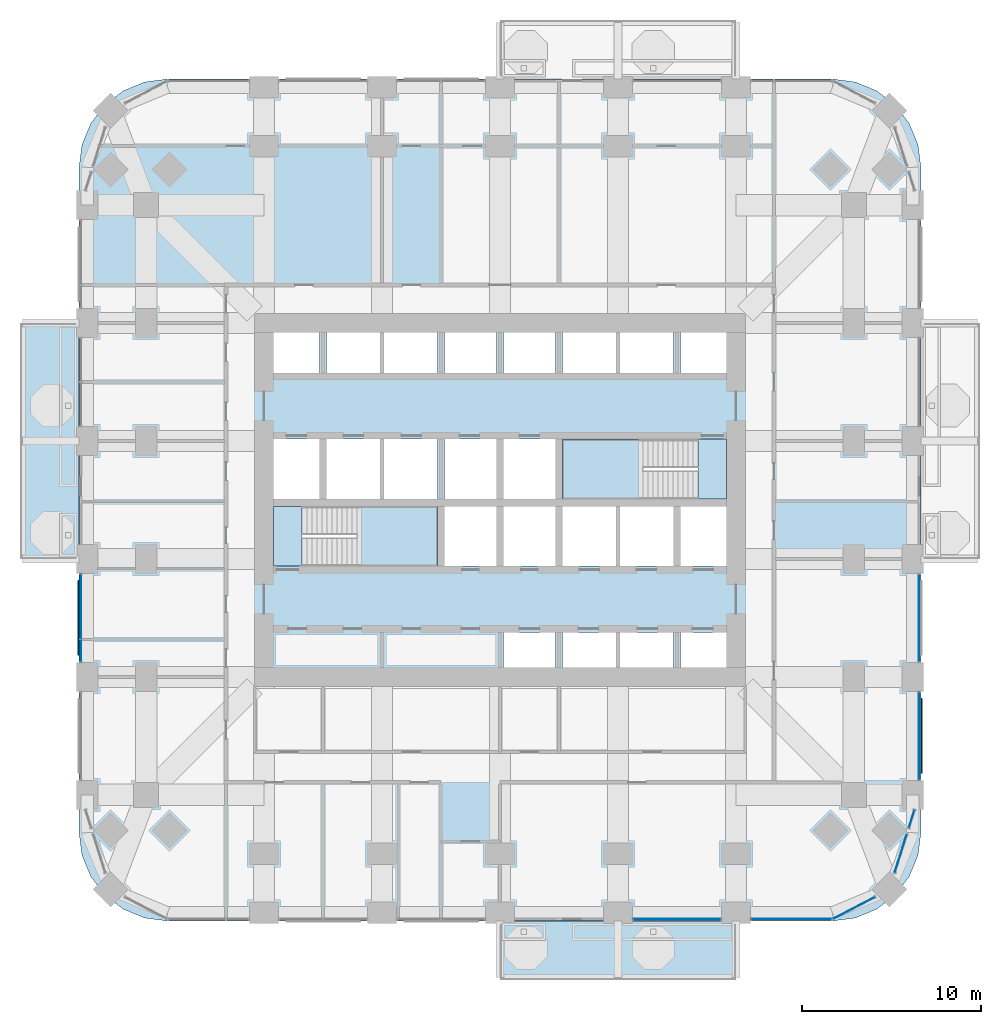
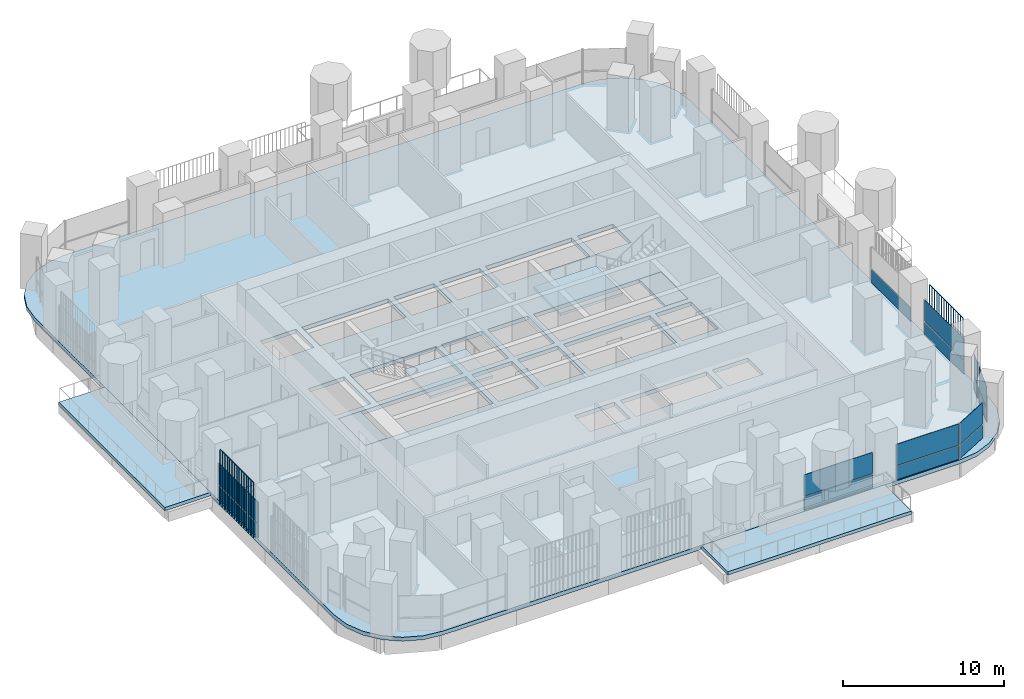
# One storey, part 10 of 21: 19 plates, 7 slabs, 10 elements without a shape of their own.
"""IFC4 building model written with IfcOpenShell, lengths in metres."""

import ifcopenshell
import ifcopenshell.guid

model = None  # the IFC model being written
_history = None  # IfcOwnerHistory: only IFC2X3 demands one
_inside = {}  # id of a spatial element -> (the spatial element, [elements in it])
_under = {}  # id of a project, library or spatial element -> (it, [spatial elements below it])
_declared = {}  # id of a project -> (the project, [libraries it declares])
_typed = {}  # id of a type object -> (the type object, [elements of that type])
_made_of = {}  # id of a material, layer set ... -> (it, [elements and type objects made of it])


def new_model(schema):
    """Start an empty IFC model of exactly this schema.

    Asked for "IFC4X3", IfcOpenShell would pick the latest addendum, in which some entities
    have other attributes; the version numbers below select the first issue.
    IFC2X3 requires an IfcOwnerHistory on every rooted entity: one is made here for all.
    """
    global model, _history
    if schema == "IFC4X3":
        model = ifcopenshell.file(schema_version=(4, 3, 0, 0))
    else:
        model = ifcopenshell.file(schema=schema)
    _inside.clear()
    _under.clear()
    _declared.clear()
    _typed.clear()
    _made_of.clear()
    _history = None
    if model.schema == "IFC2X3":
        org = make("IfcOrganization", Name="unknown")
        user = make(
            "IfcPersonAndOrganization",
            ThePerson=make("IfcPerson", FamilyName="unknown"),
            TheOrganization=org,
        )
        app = make(
            "IfcApplication",
            ApplicationDeveloper=org,
            Version="unknown",
            ApplicationFullName="unknown",
            ApplicationIdentifier="unknown",
        )
        _history = make(
            "IfcOwnerHistory",
            OwningUser=user,
            OwningApplication=app,
            ChangeAction="ADDED",
            CreationDate=0,
        )
    return model


def make(cls, **values):
    """One entity of the class cls with the attributes given. An attribute that is None is left unset."""
    return model.create_entity(
        cls, **{name: value for name, value in values.items() if value is not None}
    )


def rooted(cls, **values):
    """An entity with a GlobalId (a new one), such as an element, a storey or a relation."""
    return make(cls, GlobalId=ifcopenshell.guid.new(), OwnerHistory=_history, **values)


def si_unit(unit_type, name, prefix=None):
    """IfcSIUnit, for example si_unit("LENGTHUNIT", "METRE", prefix="MILLI")."""
    return make("IfcSIUnit", UnitType=unit_type, Prefix=prefix, Name=name)


def assignment(units):
    """IfcUnitAssignment: the units of a project."""
    return None if units is None else make("IfcUnitAssignment", Units=units)


def point(xyz):
    """IfcCartesianPoint."""
    return None if xyz is None else make("IfcCartesianPoint", Coordinates=xyz)


def direction(xyz):
    """IfcDirection."""
    return None if xyz is None else make("IfcDirection", DirectionRatios=xyz)


def frame(location, z_axis=None, x_axis=None):
    """IfcAxis2Placement3D, a coordinate frame: its origin and axes. An axis left out is left unset."""
    return make(
        "IfcAxis2Placement3D",
        Location=point(location),
        Axis=direction(z_axis),
        RefDirection=direction(x_axis),
    )


def frame_2d(location, x_axis=None):
    """IfcAxis2Placement2D, a coordinate frame in the plane: its origin and x axis."""
    return make(
        "IfcAxis2Placement2D", Location=point(location), RefDirection=direction(x_axis)
    )


def origin():
    """The frame at (0, 0, 0) with its axes left unset."""
    return frame((0.0, 0.0, 0.0))


def origin_2d():
    """The frame at (0, 0) in the plane with its x axis left unset."""
    return frame_2d((0.0, 0.0))


def place(relative_to, where):
    """IfcLocalPlacement: puts the frame where relative to a parent placement (None: the world)."""
    return make(
        "IfcLocalPlacement", PlacementRelTo=relative_to, RelativePlacement=where
    )


def context(
    kind, dimensions, precision=None, world=None, true_north=None, identifier=None
):
    """IfcGeometricRepresentationContext, for example the 3D "Model" context."""
    return make(
        "IfcGeometricRepresentationContext",
        ContextIdentifier=identifier,
        ContextType=kind,
        CoordinateSpaceDimension=dimensions,
        Precision=precision,
        WorldCoordinateSystem=world,
        TrueNorth=true_north,
    )


def subcontext(parent, identifier, kind, view, scale=None):
    """IfcGeometricRepresentationSubContext, for example "Body" below "Model"."""
    return make(
        "IfcGeometricRepresentationSubContext",
        ContextIdentifier=identifier,
        ContextType=kind,
        ParentContext=parent,
        TargetScale=scale,
        TargetView=view,
    )


def project(units=None, contexts=None):
    """IfcProject with its units and contexts."""
    return rooted(
        "IfcProject",
        Name="project",
        RepresentationContexts=contexts,
        UnitsInContext=assignment(units),
    )


def spatial(cls, under=None, at=None, **own):
    """A site, building, storey or space (cls), placed at a placement, below another one or the project."""
    s = rooted(cls, ObjectPlacement=at, **own)
    if under is not None:
        _under.setdefault(under.id(), (under, []))[1].append(s)
    return s


def polyline(points):
    """IfcPolyline through the points."""
    return make("IfcPolyline", Points=[point(p) for p in points])


def profile(cls, at=None, kind="AREA", **sizes):
    """A parametric profile (cls). Its sizes go by their IFC names, for example OverallWidth=200.0."""
    return make(cls, ProfileType=kind, Position=at, **sizes)


def rectangle(**sizes):
    """IfcRectangleProfileDef."""
    return profile("IfcRectangleProfileDef", **sizes)


def outline(outer, holes=None, kind="AREA"):
    """IfcArbitraryClosedProfileDef: a profile drawn as a closed curve; with holes, ...WithVoids."""
    if holes is None:
        return make("IfcArbitraryClosedProfileDef", ProfileType=kind, OuterCurve=outer)
    return make(
        "IfcArbitraryProfileDefWithVoids",
        ProfileType=kind,
        OuterCurve=outer,
        InnerCurves=holes,
    )


def extrude(swept, where, along, depth):
    """IfcExtrudedAreaSolid: the profile swept, set in the frame where, extruded along a direction by depth."""
    return make(
        "IfcExtrudedAreaSolid",
        SweptArea=swept,
        Position=where,
        ExtrudedDirection=direction(along),
        Depth=depth,
    )


def shape(context_of_items, identifier, shape_type, items):
    """IfcShapeRepresentation: the items that make up one representation, for example the "Body"."""
    return make(
        "IfcShapeRepresentation",
        ContextOfItems=context_of_items,
        RepresentationIdentifier=identifier,
        RepresentationType=shape_type,
        Items=items,
    )


def material(Name=None, Category=None):
    """IfcMaterial."""
    return make("IfcMaterial", Name=Name, Category=Category)


def layer(
    of_material, thickness, ventilated=None, Name=None, Category=None, Priority=None
):
    """IfcMaterialLayer: one layer of a wall or slab, of a material (None: an air gap)."""
    return make(
        "IfcMaterialLayer",
        Material=of_material,
        LayerThickness=thickness,
        IsVentilated=ventilated,
        Name=Name,
        Category=Category,
        Priority=Priority,
    )


def layer_set(layers, Name=None):
    """IfcMaterialLayerSet."""
    return make("IfcMaterialLayerSet", MaterialLayers=layers, LayerSetName=Name)


def made_of(thing, what):
    """Note that an element or type object is made of a material, layer set ...; save() writes the relation."""
    if what is not None:
        _made_of.setdefault(what.id(), (what, []))[1].append(thing)
    return thing


def type_object(cls, material=None, **own):
    """A type object (cls), such as IfcWallType, which elements share."""
    return made_of(rooted(cls, **own), material)


def element(
    cls,
    number,
    at=None,
    inside=None,
    cuts=None,
    type_object=None,
    material=None,
    context=None,
    identifier="Body",
    shape_type=None,
    held_by="IfcProductDefinitionShape",
    body=None,
    shapes=None,
    **own,
):
    """One element of the class cls, such as IfcWall. Its Tag is "e" and its number.

    at: its placement. inside: the storey or other place that contains it. cuts: it is an
    opening in that element (IfcRelVoidsElement). A single representation is given by context,
    identifier, shape_type and body (its items); several are given by shapes. held_by: the class
    of the entity that holds the representations. save() writes the other relations.
    """
    e = rooted(cls, Tag="e%d" % number, ObjectPlacement=at, **own)
    if body is not None:
        shapes = [shape(context, identifier, shape_type, body)]
    if shapes is not None:
        e.Representation = make(held_by, Representations=shapes)
    if inside is not None:
        _inside.setdefault(inside.id(), (inside, []))[1].append(e)
    if cuts is not None:
        rooted(
            "IfcRelVoidsElement", RelatingBuildingElement=cuts, RelatedOpeningElement=e
        )
    if type_object is not None:
        _typed.setdefault(type_object.id(), (type_object, []))[1].append(e)
    return made_of(e, material)


def aggregate(whole, parts):
    """IfcRelAggregates: a whole, such as a stair, and the parts it consists of."""
    return rooted("IfcRelAggregates", RelatingObject=whole, RelatedObjects=parts)


def save(model, path):
    """Write the relations noted so far, then the file.

    IfcRelAggregates (storeys below a building ...), IfcRelContainedInSpatialStructure (elements
    in a storey), IfcRelDefinesByType, IfcRelAssociatesMaterial and IfcRelDeclares: one each for
    every whole, place, type object, material and project.
    """
    for whole, parts in _under.values():
        aggregate(whole, parts)
    for where, things in _inside.values():
        rooted(
            "IfcRelContainedInSpatialStructure",
            RelatedElements=things,
            RelatingStructure=where,
        )
    for kind, things in _typed.values():
        rooted("IfcRelDefinesByType", RelatedObjects=things, RelatingType=kind)
    for what, things in _made_of.values():
        rooted("IfcRelAssociatesMaterial", RelatedObjects=things, RelatingMaterial=what)
    for by, libraries in _declared.values():
        rooted("IfcRelDeclares", RelatingContext=by, RelatedDefinitions=libraries)
    model.write(path)


model = new_model("IFC4")

# Units and contexts
model_context = context("Model", 3, precision=1e-05, world=origin(), true_north=direction((0.0, 1.0)))
body_context = subcontext(model_context, "Body", "Model", "MODEL_VIEW")
ifc_project = project(units=[si_unit("LENGTHUNIT", "METRE"), si_unit("AREAUNIT", "SQUARE_METRE"), si_unit("VOLUMEUNIT", "CUBIC_METRE"), si_unit("PLANEANGLEUNIT", "RADIAN"), si_unit("MASSUNIT", "GRAM", prefix="KILO")], contexts=[model_context])

# Site, building, storey
site_placement = place(None, origin())
site = spatial("IfcSite", under=ifc_project, at=site_placement, CompositionType="ELEMENT")
building_placement = place(site_placement, origin())
building = spatial("IfcBuilding", under=site, at=building_placement, Name="Cobogo Forest Laboratory Tower", CompositionType="ELEMENT")
storey_placement = place(building_placement, frame((0.0, 0.0, 86.39990234375)))
storey = spatial("IfcBuildingStorey", under=building, at=storey_placement, Name="L19", CompositionType="ELEMENT", Elevation=86.39990234375)

# Slabs
ifc_material_1 = material(Name="Concrete HA-40 (C40/50)", Category="concrete")
ifc_layer_1 = layer(ifc_material_1, 0.25)
ifc_layer_set_1 = layer_set([ifc_layer_1], Name="Balcony slab 250")
slab_type_1 = type_object("IfcSlabType", Name="Balcony slab 250", PredefinedType="FLOOR", material=ifc_layer_set_1)
slab_1_placement = place(storey_placement, frame((0.0, 0.0, -0.25)))
element("IfcSlab", 1, at=slab_1_placement, inside=storey, type_object=slab_type_1, Name="Balcony BAL-S1 L19", PredefinedType="FLOOR", context=body_context, shape_type="SweptSolid", body=[
    extrude(outline(polyline([(26.39990234375, -3.75), (39.60009765625, -3.75), (39.60009765625, -0.449951171875), (26.39990234375, -0.449951171875), (26.39990234375, -3.75)])), origin(), (0.0, 0.0, 1.0), 0.25),
])
slab_2_placement = place(storey_placement, frame((0.0, 0.0, -0.25)))
element("IfcSlab", 2, at=slab_2_placement, inside=storey, type_object=slab_type_1, Name="Balcony BAL-W1 L19", PredefinedType="FLOOR", context=body_context, shape_type="SweptSolid", body=[
    extrude(outline(polyline([(-0.449951171875, 19.800048828125), (2.85009765625, 19.800048828125), (2.85009765625, 33.0), (-0.449951171875, 33.0), (-0.449951171875, 19.800048828125)])), origin(), (0.0, 0.0, 1.0), 0.25),
])
ifc_layer_2 = layer(ifc_material_1, 0.300048828125)
ifc_layer_set_2 = layer_set([ifc_layer_2], Name="Floor slab 300")
slab_type_2 = type_object("IfcSlabType", Name="Floor slab 300", PredefinedType="FLOOR", material=ifc_layer_set_2)
slab_3_placement = place(storey_placement, frame((0.0, 0.0, -0.2998046875)))
element("IfcSlab", 3, at=slab_3_placement, inside=storey, type_object=slab_type_2, Name="L19 floor slab", PredefinedType="FLOOR", context=body_context, shape_type="SweptSolid", body=[
    extrude(outline(polyline([(45.0, -0.449951171875), (46.28125, -0.28125), (47.47509765625, 0.213134765625), (48.500244140625, 0.999755859375), (49.286865234375, 2.02490234375), (49.78125, 3.21875), (49.949951171875, 4.5), (49.949951171875, 41.699951171875), (49.78125, 42.981201171875), (49.286865234375, 44.175048828125), (48.500244140625, 45.2001953125), (47.47509765625, 45.98681640625), (46.28125, 46.4814453125), (45.0, 46.64990234375), (7.800048828125, 46.64990234375), (6.518798828125, 46.4814453125), (5.324951171875, 45.98681640625), (4.2998046875, 45.2001953125), (3.51318359375, 44.175048828125), (3.0185546875, 42.981201171875), (2.85009765625, 41.699951171875), (2.85009765625, 4.5), (3.0185546875, 3.21875), (3.51318359375, 2.02490234375), (4.2998046875, 0.999755859375), (5.324951171875, 0.213134765625), (6.518798828125, -0.28125), (7.800048828125, -0.449951171875), (45.0, -0.449951171875)]), holes=[polyline([(29.5, 13.72509765625), (26.60009765625, 13.72509765625), (26.60009765625, 15.699951171875), (29.5, 15.699951171875), (29.5, 13.72509765625)]), polyline([(36.10009765625, 15.699951171875), (36.10009765625, 13.72509765625), (29.89990234375, 13.72509765625), (29.89990234375, 15.699951171875), (36.10009765625, 15.699951171875)]), polyline([(36.5, 13.72509765625), (36.5, 15.699951171875), (39.074951171875, 15.699951171875), (39.074951171875, 13.72509765625), (36.5, 13.72509765625)]), polyline([(13.72509765625, 19.39990234375), (13.72509765625, 22.75), (22.89990234375, 22.75), (22.89990234375, 19.39990234375), (13.72509765625, 19.39990234375)]), polyline([(23.300048828125, 19.39990234375), (23.300048828125, 22.75), (26.199951171875, 22.75), (26.199951171875, 19.39990234375), (23.300048828125, 19.39990234375)]), polyline([(29.5, 19.39990234375), (26.60009765625, 19.39990234375), (26.60009765625, 22.75), (29.5, 22.75), (29.5, 19.39990234375)]), polyline([(36.10009765625, 22.75), (36.10009765625, 19.39990234375), (29.89990234375, 19.39990234375), (29.89990234375, 22.75), (36.10009765625, 22.75)]), polyline([(39.074951171875, 19.39990234375), (36.5, 19.39990234375), (36.5, 22.75), (39.074951171875, 22.75), (39.074951171875, 19.39990234375)]), polyline([(16.300048828125, 23.14990234375), (13.72509765625, 23.14990234375), (13.72509765625, 26.5), (16.300048828125, 26.5), (16.300048828125, 23.14990234375)]), polyline([(22.89990234375, 26.5), (22.89990234375, 23.14990234375), (16.699951171875, 23.14990234375), (16.699951171875, 26.5), (22.89990234375, 26.5)]), polyline([(26.199951171875, 23.14990234375), (23.300048828125, 23.14990234375), (23.300048828125, 26.5), (26.199951171875, 26.5), (26.199951171875, 23.14990234375)]), polyline([(26.60009765625, 23.14990234375), (26.60009765625, 26.5), (29.5, 26.5), (29.5, 23.14990234375), (26.60009765625, 23.14990234375)]), polyline([(29.89990234375, 23.14990234375), (29.89990234375, 26.5), (39.074951171875, 26.5), (39.074951171875, 23.14990234375), (29.89990234375, 23.14990234375)]), polyline([(13.72509765625, 30.199951171875), (13.72509765625, 32.47509765625), (16.300048828125, 32.47509765625), (16.300048828125, 30.199951171875), (13.72509765625, 30.199951171875)]), polyline([(22.89990234375, 32.47509765625), (22.89990234375, 30.199951171875), (16.699951171875, 30.199951171875), (16.699951171875, 32.47509765625), (22.89990234375, 32.47509765625)]), polyline([(23.300048828125, 30.199951171875), (23.300048828125, 32.47509765625), (26.199951171875, 32.47509765625), (26.199951171875, 30.199951171875), (23.300048828125, 30.199951171875)]), polyline([(26.60009765625, 30.199951171875), (26.60009765625, 32.47509765625), (29.5, 32.47509765625), (29.5, 30.199951171875), (26.60009765625, 30.199951171875)]), polyline([(36.10009765625, 32.47509765625), (36.10009765625, 30.199951171875), (29.89990234375, 30.199951171875), (29.89990234375, 32.47509765625), (36.10009765625, 32.47509765625)]), polyline([(36.5, 30.199951171875), (36.5, 32.47509765625), (39.074951171875, 32.47509765625), (39.074951171875, 30.199951171875), (36.5, 30.199951171875)])]), origin(), (0.0, 0.0, 1.0), 0.2998046875),
])

# Curtain wall, plates
ifc_material_2 = material(Name="Aluminium curtain wall", Category="aluminium")
curtain_wall_type = type_object("IfcCurtainWallType", Name="CW-1 unitised curtain wall, clear glazing, laboratory floors zones A and B", PredefinedType="USERDEFINED", material=ifc_material_2)
curtain_wall_1_placement = place(storey_placement, origin())
curtain_wall_1 = element("IfcCurtainWall", 4, at=curtain_wall_1_placement, inside=storey, type_object=curtain_wall_type, Name="Curtain wall 05 L19", ObjectType="UNITISED CURTAIN WALL", PredefinedType="USERDEFINED")
ifc_material_3 = material(Name="Clear insulated glass", Category="glass")
ifc_layer_3 = layer(ifc_material_3, 0.028076171875)
ifc_layer_set_3 = layer_set([ifc_layer_3], Name="GP-1 clear insulated glass unit 28")
plate_type_1 = type_object("IfcPlateType", Name="GP-1 clear insulated glass unit 28", PredefinedType="CURTAIN_PANEL", material=ifc_layer_set_3)
plate_1_placement = place(storey_placement, frame((36.300048828125, -0.35009765625, 0.0), z_axis=(0.0, 0.0, 1.0), x_axis=(1.0, 0.0, 0.0)))
plate_1 = element("IfcPlate", 5, at=plate_1_placement, type_object=plate_type_1, Name="CW-1 panel 1.1", PredefinedType="CURTAIN_PANEL", context=body_context, shape_type="SweptSolid", body=[
    extrude(rectangle(XDim=4.8798828125, YDim=0.028076171875, at=origin_2d()), origin(), (0.0, 0.0, 1.0), 1.02001953125),
])
plate_2_placement = place(storey_placement, frame((36.300048828125, -0.35009765625, 1.080078125), z_axis=(0.0, 0.0, 1.0), x_axis=(1.0, 0.0, 0.0)))
plate_2 = element("IfcPlate", 6, at=plate_2_placement, type_object=plate_type_1, Name="CW-1 panel 1.2", PredefinedType="CURTAIN_PANEL", context=body_context, shape_type="SweptSolid", body=[
    extrude(rectangle(XDim=4.8798828125, YDim=0.028076171875, at=origin_2d()), origin(), (0.0, 0.0, 1.0), 1.6201171875),
])
aggregate(curtain_wall_1, [plate_1, plate_2])

curtain_wall_2_placement = place(storey_placement, origin())
curtain_wall_2 = element("IfcCurtainWall", 7, at=curtain_wall_2_placement, inside=storey, type_object=curtain_wall_type, Name="Curtain wall 06 L19", ObjectType="UNITISED CURTAIN WALL", PredefinedType="USERDEFINED")
plate_3_placement = place(storey_placement, frame((42.699951171875, -0.35009765625, 0.0), z_axis=(0.0, 0.0, 1.0), x_axis=(1.0, 0.0, 0.0)))
plate_3 = element("IfcPlate", 8, at=plate_3_placement, type_object=plate_type_1, Name="CW-1 panel 1.1", PredefinedType="CURTAIN_PANEL", context=body_context, shape_type="SweptSolid", body=[
    extrude(rectangle(XDim=4.47998046875, YDim=0.028076171875, at=origin_2d()), origin(), (0.0, 0.0, 1.0), 1.02001953125),
])
plate_4_placement = place(storey_placement, frame((42.699951171875, -0.35009765625, 1.080078125), z_axis=(0.0, 0.0, 1.0), x_axis=(1.0, 0.0, 0.0)))
plate_4 = element("IfcPlate", 9, at=plate_4_placement, type_object=plate_type_1, Name="CW-1 panel 1.2", PredefinedType="CURTAIN_PANEL", context=body_context, shape_type="SweptSolid", body=[
    extrude(rectangle(XDim=4.47998046875, YDim=0.028076171875, at=origin_2d()), origin(), (0.0, 0.0, 1.0), 1.6201171875),
])
aggregate(curtain_wall_2, [plate_3, plate_4])

curtain_wall_3_placement = place(storey_placement, origin())
curtain_wall_3 = element("IfcCurtainWall", 10, at=curtain_wall_3_placement, inside=storey, type_object=curtain_wall_type, Name="Curtain wall 07 L19", ObjectType="UNITISED CURTAIN WALL", PredefinedType="USERDEFINED")
plate_5_placement = place(storey_placement, frame((46.2060546875, 0.2822265625, 0.0), z_axis=(0.0, 0.0, 1.0), x_axis=(0.885686540666, 0.464283697413, 0.0)))
plate_5 = element("IfcPlate", 11, at=plate_5_placement, type_object=plate_type_1, Name="CW-1 panel 1.1", PredefinedType="CURTAIN_PANEL", context=body_context, shape_type="SweptSolid", body=[
    extrude(rectangle(XDim=2.603271484375, YDim=0.028076171875, at=origin_2d()), origin(), (0.0, 0.0, 1.0), 1.02001953125),
])
plate_6_placement = place(storey_placement, frame((46.2060546875, 0.2822265625, 1.080078125), z_axis=(0.0, 0.0, 1.0), x_axis=(0.885686540666, 0.464283697413, 0.0)))
plate_6 = element("IfcPlate", 12, at=plate_6_placement, type_object=plate_type_1, Name="CW-1 panel 1.2", PredefinedType="CURTAIN_PANEL", context=body_context, shape_type="SweptSolid", body=[
    extrude(rectangle(XDim=2.603271484375, YDim=0.028076171875, at=origin_2d()), origin(), (0.0, 0.0, 1.0), 1.6201171875),
])
aggregate(curtain_wall_3, [plate_5, plate_6])

curtain_wall_4_placement = place(storey_placement, origin())
curtain_wall_4 = element("IfcCurtainWall", 13, at=curtain_wall_4_placement, inside=storey, type_object=curtain_wall_type, Name="Curtain wall 08 L19", ObjectType="UNITISED CURTAIN WALL", PredefinedType="USERDEFINED")
plate_7_placement = place(storey_placement, frame((48.8134765625, 3.31787109375, 0.0), z_axis=(0.0, 0.0, 1.0), x_axis=(0.301135343623, 0.953581409645, 0.0)))
plate_7 = element("IfcPlate", 14, at=plate_7_placement, type_object=plate_type_1, Name="CW-1 panel 1.1", PredefinedType="CURTAIN_PANEL", context=body_context, shape_type="SweptSolid", body=[
    extrude(rectangle(XDim=2.203369140625, YDim=0.028076171875, at=origin_2d()), origin(), (0.0, 0.0, 1.0), 1.02001953125),
])
plate_8_placement = place(storey_placement, frame((48.8134765625, 3.31787109375, 1.080078125), z_axis=(0.0, 0.0, 1.0), x_axis=(0.301135343623, 0.953581409645, 0.0)))
plate_8 = element("IfcPlate", 15, at=plate_8_placement, type_object=plate_type_1, Name="CW-1 panel 1.2", PredefinedType="CURTAIN_PANEL", context=body_context, shape_type="SweptSolid", body=[
    extrude(rectangle(XDim=2.203369140625, YDim=0.028076171875, at=origin_2d()), origin(), (0.0, 0.0, 1.0), 1.6201171875),
])
aggregate(curtain_wall_4, [plate_7, plate_8])

curtain_wall_5_placement = place(storey_placement, origin())
curtain_wall_5 = element("IfcCurtainWall", 16, at=curtain_wall_5_placement, inside=storey, type_object=curtain_wall_type, Name="Curtain wall 09 L19", ObjectType="UNITISED CURTAIN WALL", PredefinedType="USERDEFINED")
plate_9_placement = place(storey_placement, frame((49.426513671875, 5.259033203125, 0.0), z_axis=(0.0, 0.0, 1.0), x_axis=(0.3011355018, 0.953581359694, 0.0)))
plate_9 = element("IfcPlate", 17, at=plate_9_placement, type_object=plate_type_1, Name="CW-1 panel 1.1", PredefinedType="CURTAIN_PANEL", context=body_context, shape_type="SweptSolid", body=[
    extrude(rectangle(XDim=1.0146484375, YDim=0.028076171875, at=origin_2d()), origin(), (0.0, 0.0, 1.0), 1.02001953125),
])
plate_10_placement = place(storey_placement, frame((49.426513671875, 5.259033203125, 1.080078125), z_axis=(0.0, 0.0, 1.0), x_axis=(0.3011355018, 0.953581359694, 0.0)))
plate_10 = element("IfcPlate", 18, at=plate_10_placement, type_object=plate_type_1, Name="CW-1 panel 1.2", PredefinedType="CURTAIN_PANEL", context=body_context, shape_type="SweptSolid", body=[
    extrude(rectangle(XDim=1.0146484375, YDim=0.028076171875, at=origin_2d()), origin(), (0.0, 0.0, 1.0), 1.6201171875),
])
aggregate(curtain_wall_5, [plate_9, plate_10])

curtain_wall_6_placement = place(storey_placement, origin())
curtain_wall_6 = element("IfcCurtainWall", 19, at=curtain_wall_6_placement, inside=storey, type_object=curtain_wall_type, Name="Curtain wall 10 L19", ObjectType="UNITISED CURTAIN WALL", PredefinedType="USERDEFINED")
plate_11_placement = place(storey_placement, frame((49.85009765625, 9.89990234375, 0.0), z_axis=(0.0, 0.0, 1.0), x_axis=(0.0, 1.0, 0.0)))
plate_11 = element("IfcPlate", 20, at=plate_11_placement, type_object=plate_type_1, Name="CW-1 panel 1.1", PredefinedType="CURTAIN_PANEL", context=body_context, shape_type="SweptSolid", body=[
    extrude(rectangle(XDim=4.8798828125, YDim=0.028076171875, at=origin_2d()), origin(), (0.0, 0.0, 1.0), 1.02001953125),
])
plate_12_placement = place(storey_placement, frame((49.85009765625, 9.89990234375, 1.080078125), z_axis=(0.0, 0.0, 1.0), x_axis=(0.0, 1.0, 0.0)))
plate_12 = element("IfcPlate", 21, at=plate_12_placement, type_object=plate_type_1, Name="CW-1 panel 1.2", PredefinedType="CURTAIN_PANEL", context=body_context, shape_type="SweptSolid", body=[
    extrude(rectangle(XDim=4.8798828125, YDim=0.028076171875, at=origin_2d()), origin(), (0.0, 0.0, 1.0), 1.6201171875),
])
aggregate(curtain_wall_6, [plate_11, plate_12])

# Curtain wall, plate
curtain_wall_7_placement = place(storey_placement, origin())
curtain_wall_7 = element("IfcCurtainWall", 22, at=curtain_wall_7_placement, inside=storey, type_object=curtain_wall_type, Name="Curtain wall 11 L19", ObjectType="UNITISED CURTAIN WALL", PredefinedType="USERDEFINED")
plate_13_placement = place(storey_placement, frame((49.85009765625, 16.5, 0.0), z_axis=(0.0, 0.0, 1.0), x_axis=(0.0, 1.0, 0.0)))
plate_13 = element("IfcPlate", 23, at=plate_13_placement, type_object=plate_type_1, Name="CW-1 panel 1.1", PredefinedType="CURTAIN_PANEL", context=body_context, shape_type="SweptSolid", body=[
    extrude(rectangle(XDim=4.8798828125, YDim=0.028076171875, at=origin_2d()), origin(), (0.0, 0.0, 1.0), 1.02001953125),
])
aggregate(curtain_wall_7, [plate_13])

# Curtain wall, plates
curtain_wall_8_placement = place(storey_placement, origin())
curtain_wall_8 = element("IfcCurtainWall", 24, at=curtain_wall_8_placement, inside=storey, type_object=curtain_wall_type, Name="Curtain wall 30 L19", ObjectType="UNITISED CURTAIN WALL", PredefinedType="USERDEFINED")
plate_14_placement = place(storey_placement, frame((2.949951171875, 17.135009765625, 0.0), z_axis=(0.0, 0.0, 1.0), x_axis=(0.0, -1.0, 0.0)))
plate_14 = element("IfcPlate", 25, at=plate_14_placement, type_object=plate_type_1, Name="CW-1 panel 1.1", PredefinedType="CURTAIN_PANEL", context=body_context, shape_type="SweptSolid", body=[
    extrude(rectangle(XDim=3.610107421875, YDim=0.028076171875, at=origin_2d()), origin(), (0.0, 0.0, 1.0), 1.02001953125),
])
plate_15_placement = place(storey_placement, frame((2.949951171875, 17.135009765625, 1.080078125), z_axis=(0.0, 0.0, 1.0), x_axis=(0.0, -1.0, 0.0)))
plate_15 = element("IfcPlate", 26, at=plate_15_placement, type_object=plate_type_1, Name="CW-1 panel 1.2", PredefinedType="CURTAIN_PANEL", context=body_context, shape_type="SweptSolid", body=[
    extrude(rectangle(XDim=3.610107421875, YDim=0.028076171875, at=origin_2d()), origin(), (0.0, 0.0, 1.0), 1.6201171875),
])
plate_16_placement = place(storey_placement, frame((2.949951171875, 14.6650390625, 0.0), z_axis=(0.0, 0.0, 1.0), x_axis=(0.0, -1.0, 0.0)))
plate_16 = element("IfcPlate", 27, at=plate_16_placement, type_object=plate_type_1, Name="CW-1 panel 2.1", PredefinedType="CURTAIN_PANEL", context=body_context, shape_type="SweptSolid", body=[
    extrude(rectangle(XDim=1.2099609375, YDim=0.028076171875, at=origin_2d()), origin(), (0.0, 0.0, 1.0), 1.02001953125),
])
plate_17_placement = place(storey_placement, frame((2.949951171875, 14.6650390625, 1.080078125), z_axis=(0.0, 0.0, 1.0), x_axis=(0.0, -1.0, 0.0)))
plate_17 = element("IfcPlate", 28, at=plate_17_placement, type_object=plate_type_1, Name="CW-1 panel 2.2", PredefinedType="CURTAIN_PANEL", context=body_context, shape_type="SweptSolid", body=[
    extrude(rectangle(XDim=1.2099609375, YDim=0.028076171875, at=origin_2d()), origin(), (0.0, 0.0, 1.0), 1.6201171875),
])
aggregate(curtain_wall_8, [plate_14, plate_15, plate_16, plate_17])

# Stair, slabs
ifc_material_4 = material(Name="Precast concrete HA-40 (C40/50)", Category="concrete")
stair_type = type_object("IfcStairType", Name="ST24 exit stair 24 risers", PredefinedType="HALF_TURN_STAIR", material=ifc_material_4)
stair_1_placement = place(storey_placement, origin())
stair_1 = element("IfcStair", 29, at=stair_1_placement, inside=storey, type_object=stair_type, Name="Stair 1 L19 to L20", PredefinedType="HALF_TURN_STAIR")
ifc_layer_4 = layer(ifc_material_1, 0.199951171875)
ifc_layer_set_4 = layer_set([ifc_layer_4], Name="SL stair landing 200")
slab_type_3 = type_object("IfcSlabType", Name="SL stair landing 200", PredefinedType="LANDING", material=ifc_layer_set_4)
slab_4_placement = place(storey_placement, frame((0.0, 0.0, -0.199951171875)))
slab_4 = element("IfcSlab", 30, at=slab_4_placement, type_object=slab_type_3, Name="ST1 landing 1", PredefinedType="LANDING", context=body_context, shape_type="SweptSolid", body=[
    extrude(outline(polyline([(13.72509765625, 19.39990234375), (15.326904296875, 19.39990234375), (15.326904296875, 22.75), (13.72509765625, 22.75), (13.72509765625, 19.39990234375)])), origin(), (0.0, 0.0, 1.0), 0.199951171875),
])
slab_5_placement = place(storey_placement, frame((0.0, 0.0, 1.900146484375)))
slab_5 = element("IfcSlab", 31, at=slab_5_placement, type_object=slab_type_3, Name="ST1 landing 2", PredefinedType="LANDING", context=body_context, shape_type="SweptSolid", body=[
    extrude(outline(polyline([(18.403076171875, 19.39990234375), (22.89990234375, 19.39990234375), (22.89990234375, 22.75), (18.403076171875, 22.75), (18.403076171875, 19.39990234375)])), origin(), (0.0, 0.0, 1.0), 0.199951171875),
])
aggregate(stair_1, [slab_4, slab_5])

stair_2_placement = place(storey_placement, origin())
stair_2 = element("IfcStair", 32, at=stair_2_placement, inside=storey, type_object=stair_type, Name="Stair 2 L19 to L20", PredefinedType="HALF_TURN_STAIR")
slab_6_placement = place(storey_placement, frame((0.0, 0.0, -0.199951171875)))
slab_6 = element("IfcSlab", 33, at=slab_6_placement, type_object=slab_type_3, Name="ST2 landing 1", PredefinedType="LANDING", context=body_context, shape_type="SweptSolid", body=[
    extrude(outline(polyline([(37.472900390625, 23.14990234375), (39.074951171875, 23.14990234375), (39.074951171875, 26.5), (37.472900390625, 26.5), (37.472900390625, 23.14990234375)])), origin(), (0.0, 0.0, 1.0), 0.199951171875),
])
slab_7_placement = place(storey_placement, frame((0.0, 0.0, 1.900146484375)))
slab_7 = element("IfcSlab", 34, at=slab_7_placement, type_object=slab_type_3, Name="ST2 landing 2", PredefinedType="LANDING", context=body_context, shape_type="SweptSolid", body=[
    extrude(outline(polyline([(29.89990234375, 23.14990234375), (34.39697265625, 23.14990234375), (34.39697265625, 26.5), (29.89990234375, 26.5), (29.89990234375, 23.14990234375)])), origin(), (0.0, 0.0, 1.0), 0.199951171875),
])
aggregate(stair_2, [slab_6, slab_7])

# Plates
ifc_material_5 = material(Name="Terracotta", Category="masonry")
plate_type_2 = type_object("IfcPlateType", Name="TB1 terracotta baguette screen", PredefinedType="USERDEFINED", material=ifc_material_5)
plate_18_placement = place(storey_placement, frame((49.977783203125, 7.831298828125, -0.14990234375)))
element("IfcPlate", 35, at=plate_18_placement, inside=storey, type_object=plate_type_2, Name="Baguette screen E1 L19", ObjectType="BAGUETTE SCREEN", PredefinedType="USERDEFINED", context=body_context, shape_type="SweptSolid", body=[
    extrude(outline(polyline([(0.02880859375, 0.011962890625), (0.011962890625, 0.02880859375), (-0.011962890625, 0.02880859375), (-0.02880859375, 0.011962890625), (-0.02880859375, -0.011962890625), (-0.011962890625, -0.02880859375), (0.011962890625, -0.02880859375), (0.02880859375, -0.011962890625), (0.02880859375, 0.011962890625)])), frame((0.0, 0.0, 4.168701171875), z_axis=(0.0, 1.0, 0.0), x_axis=(-1.0, 0.0, 0.0)), (0.0, 0.0, 1.0), 4.137451171875),
    extrude(outline(polyline([(0.02880859375, 0.011962890625), (0.011962890625, 0.02880859375), (-0.011962890625, 0.02880859375), (-0.02880859375, 0.011962890625), (-0.02880859375, -0.011962890625), (-0.011962890625, -0.02880859375), (0.011962890625, -0.02880859375), (0.02880859375, -0.011962890625), (0.02880859375, 0.011962890625)])), origin(), (0.0, 0.0, 1.0), 4.137451171875),
    extrude(outline(polyline([(0.02880859375, 0.011962890625), (0.011962890625, 0.02880859375), (-0.011962890625, 0.02880859375), (-0.02880859375, 0.011962890625), (-0.02880859375, -0.011962890625), (-0.011962890625, -0.02880859375), (0.011962890625, -0.02880859375), (0.02880859375, -0.011962890625), (0.02880859375, 0.011962890625)])), frame((0.0, 0.29541015625, 0.0)), (0.0, 0.0, 1.0), 4.137451171875),
    extrude(outline(polyline([(0.02880859375, 0.011962890625), (0.011962890625, 0.02880859375), (-0.011962890625, 0.02880859375), (-0.02880859375, 0.011962890625), (-0.02880859375, -0.011962890625), (-0.011962890625, -0.02880859375), (0.011962890625, -0.02880859375), (0.02880859375, -0.011962890625), (0.02880859375, 0.011962890625)])), frame((0.0, 0.591064453125, 0.0)), (0.0, 0.0, 1.0), 4.137451171875),
    extrude(outline(polyline([(0.02880859375, 0.011962890625), (0.011962890625, 0.02880859375), (-0.011962890625, 0.02880859375), (-0.02880859375, 0.011962890625), (-0.02880859375, -0.011962890625), (-0.011962890625, -0.02880859375), (0.011962890625, -0.02880859375), (0.02880859375, -0.011962890625), (0.02880859375, 0.011962890625)])), frame((0.0, 0.88671875, 0.0)), (0.0, 0.0, 1.0), 4.137451171875),
    extrude(outline(polyline([(0.02880859375, 0.011962890625), (0.011962890625, 0.02880859375), (-0.011962890625, 0.02880859375), (-0.02880859375, 0.011962890625), (-0.02880859375, -0.011962890625), (-0.011962890625, -0.02880859375), (0.011962890625, -0.02880859375), (0.02880859375, -0.011962890625), (0.02880859375, 0.011962890625)])), frame((0.0, 1.18212890625, 0.0)), (0.0, 0.0, 1.0), 4.137451171875),
    extrude(outline(polyline([(0.02880859375, 0.011962890625), (0.011962890625, 0.02880859375), (-0.011962890625, 0.02880859375), (-0.02880859375, 0.011962890625), (-0.02880859375, -0.011962890625), (-0.011962890625, -0.02880859375), (0.011962890625, -0.02880859375), (0.02880859375, -0.011962890625), (0.02880859375, 0.011962890625)])), frame((0.0, 1.4775390625, 0.0)), (0.0, 0.0, 1.0), 4.137451171875),
    extrude(outline(polyline([(0.02880859375, 0.011962890625), (0.011962890625, 0.02880859375), (-0.011962890625, 0.02880859375), (-0.02880859375, 0.011962890625), (-0.02880859375, -0.011962890625), (-0.011962890625, -0.02880859375), (0.011962890625, -0.02880859375), (0.02880859375, -0.011962890625), (0.02880859375, 0.011962890625)])), frame((0.0, 1.773193359375, 0.0)), (0.0, 0.0, 1.0), 4.137451171875),
    extrude(outline(polyline([(0.02880859375, 0.011962890625), (0.011962890625, 0.02880859375), (-0.011962890625, 0.02880859375), (-0.02880859375, 0.011962890625), (-0.02880859375, -0.011962890625), (-0.011962890625, -0.02880859375), (0.011962890625, -0.02880859375), (0.02880859375, -0.011962890625), (0.02880859375, 0.011962890625)])), frame((0.0, 2.06884765625, 0.0)), (0.0, 0.0, 1.0), 4.137451171875),
    extrude(outline(polyline([(0.02880859375, 0.011962890625), (0.011962890625, 0.02880859375), (-0.011962890625, 0.02880859375), (-0.02880859375, 0.011962890625), (-0.02880859375, -0.011962890625), (-0.011962890625, -0.02880859375), (0.011962890625, -0.02880859375), (0.02880859375, -0.011962890625), (0.02880859375, 0.011962890625)])), frame((0.0, 2.3642578125, 0.0)), (0.0, 0.0, 1.0), 4.137451171875),
    extrude(outline(polyline([(0.02880859375, 0.011962890625), (0.011962890625, 0.02880859375), (-0.011962890625, 0.02880859375), (-0.02880859375, 0.011962890625), (-0.02880859375, -0.011962890625), (-0.011962890625, -0.02880859375), (0.011962890625, -0.02880859375), (0.02880859375, -0.011962890625), (0.02880859375, 0.011962890625)])), frame((0.0, 2.65966796875, 0.0)), (0.0, 0.0, 1.0), 4.137451171875),
    extrude(outline(polyline([(0.02880859375, 0.011962890625), (0.011962890625, 0.02880859375), (-0.011962890625, 0.02880859375), (-0.02880859375, 0.011962890625), (-0.02880859375, -0.011962890625), (-0.011962890625, -0.02880859375), (0.011962890625, -0.02880859375), (0.02880859375, -0.011962890625), (0.02880859375, 0.011962890625)])), frame((0.0, 2.955322265625, 0.0)), (0.0, 0.0, 1.0), 4.137451171875),
    extrude(outline(polyline([(0.02880859375, 0.011962890625), (0.011962890625, 0.02880859375), (-0.011962890625, 0.02880859375), (-0.02880859375, 0.011962890625), (-0.02880859375, -0.011962890625), (-0.011962890625, -0.02880859375), (0.011962890625, -0.02880859375), (0.02880859375, -0.011962890625), (0.02880859375, 0.011962890625)])), frame((0.0, 3.2509765625, 0.0)), (0.0, 0.0, 1.0), 4.137451171875),
    extrude(outline(polyline([(0.02880859375, 0.011962890625), (0.011962890625, 0.02880859375), (-0.011962890625, 0.02880859375), (-0.02880859375, 0.011962890625), (-0.02880859375, -0.011962890625), (-0.011962890625, -0.02880859375), (0.011962890625, -0.02880859375), (0.02880859375, -0.011962890625), (0.02880859375, 0.011962890625)])), frame((0.0, 3.54638671875, 0.0)), (0.0, 0.0, 1.0), 4.137451171875),
    extrude(outline(polyline([(0.02880859375, 0.011962890625), (0.011962890625, 0.02880859375), (-0.011962890625, 0.02880859375), (-0.02880859375, 0.011962890625), (-0.02880859375, -0.011962890625), (-0.011962890625, -0.02880859375), (0.011962890625, -0.02880859375), (0.02880859375, -0.011962890625), (0.02880859375, 0.011962890625)])), frame((0.0, 3.841796875, 0.0)), (0.0, 0.0, 1.0), 4.137451171875),
    extrude(outline(polyline([(0.02880859375, 0.011962890625), (0.011962890625, 0.02880859375), (-0.011962890625, 0.02880859375), (-0.02880859375, 0.011962890625), (-0.02880859375, -0.011962890625), (-0.011962890625, -0.02880859375), (0.011962890625, -0.02880859375), (0.02880859375, -0.011962890625), (0.02880859375, 0.011962890625)])), frame((0.0, 4.137451171875, 0.0)), (0.0, 0.0, 1.0), 4.137451171875),
])
plate_19_placement = place(storey_placement, frame((2.822021484375, 14.43115234375, -0.14990234375)))
element("IfcPlate", 36, at=plate_19_placement, inside=storey, type_object=plate_type_2, Name="Baguette screen W2 L19", ObjectType="BAGUETTE SCREEN", PredefinedType="USERDEFINED", context=body_context, shape_type="SweptSolid", body=[
    extrude(outline(polyline([(0.02880859375, 0.011962890625), (0.011962890625, 0.02880859375), (-0.011962890625, 0.02880859375), (-0.02880859375, 0.011962890625), (-0.02880859375, -0.011962890625), (-0.011962890625, -0.02880859375), (0.011962890625, -0.02880859375), (0.02880859375, -0.011962890625), (0.02880859375, 0.011962890625)])), frame((0.0, 0.0, 4.168701171875), z_axis=(0.0, 1.0, 0.0), x_axis=(-1.0, 0.0, 0.0)), (0.0, 0.0, 1.0), 4.1376953125),
    extrude(outline(polyline([(0.02880859375, 0.011962890625), (0.011962890625, 0.02880859375), (-0.011962890625, 0.02880859375), (-0.02880859375, 0.011962890625), (-0.02880859375, -0.011962890625), (-0.011962890625, -0.02880859375), (0.011962890625, -0.02880859375), (0.02880859375, -0.011962890625), (0.02880859375, 0.011962890625)])), origin(), (0.0, 0.0, 1.0), 4.137451171875),
    extrude(outline(polyline([(0.02880859375, 0.011962890625), (0.011962890625, 0.02880859375), (-0.011962890625, 0.02880859375), (-0.02880859375, 0.011962890625), (-0.02880859375, -0.011962890625), (-0.011962890625, -0.02880859375), (0.011962890625, -0.02880859375), (0.02880859375, -0.011962890625), (0.02880859375, 0.011962890625)])), frame((0.0, 0.295654296875, 0.0)), (0.0, 0.0, 1.0), 4.137451171875),
    extrude(outline(polyline([(0.02880859375, 0.011962890625), (0.011962890625, 0.02880859375), (-0.011962890625, 0.02880859375), (-0.02880859375, 0.011962890625), (-0.02880859375, -0.011962890625), (-0.011962890625, -0.02880859375), (0.011962890625, -0.02880859375), (0.02880859375, -0.011962890625), (0.02880859375, 0.011962890625)])), frame((0.0, 0.591064453125, 0.0)), (0.0, 0.0, 1.0), 4.137451171875),
    extrude(outline(polyline([(0.02880859375, 0.011962890625), (0.011962890625, 0.02880859375), (-0.011962890625, 0.02880859375), (-0.02880859375, 0.011962890625), (-0.02880859375, -0.011962890625), (-0.011962890625, -0.02880859375), (0.011962890625, -0.02880859375), (0.02880859375, -0.011962890625), (0.02880859375, 0.011962890625)])), frame((0.0, 0.88671875, 0.0)), (0.0, 0.0, 1.0), 4.137451171875),
    extrude(outline(polyline([(0.02880859375, 0.011962890625), (0.011962890625, 0.02880859375), (-0.011962890625, 0.02880859375), (-0.02880859375, 0.011962890625), (-0.02880859375, -0.011962890625), (-0.011962890625, -0.02880859375), (0.011962890625, -0.02880859375), (0.02880859375, -0.011962890625), (0.02880859375, 0.011962890625)])), frame((0.0, 1.18212890625, 0.0)), (0.0, 0.0, 1.0), 4.137451171875),
    extrude(outline(polyline([(0.02880859375, 0.011962890625), (0.011962890625, 0.02880859375), (-0.011962890625, 0.02880859375), (-0.02880859375, 0.011962890625), (-0.02880859375, -0.011962890625), (-0.011962890625, -0.02880859375), (0.011962890625, -0.02880859375), (0.02880859375, -0.011962890625), (0.02880859375, 0.011962890625)])), frame((0.0, 1.477783203125, 0.0)), (0.0, 0.0, 1.0), 4.137451171875),
    extrude(outline(polyline([(0.02880859375, 0.011962890625), (0.011962890625, 0.02880859375), (-0.011962890625, 0.02880859375), (-0.02880859375, 0.011962890625), (-0.02880859375, -0.011962890625), (-0.011962890625, -0.02880859375), (0.011962890625, -0.02880859375), (0.02880859375, -0.011962890625), (0.02880859375, 0.011962890625)])), frame((0.0, 1.773193359375, 0.0)), (0.0, 0.0, 1.0), 4.137451171875),
    extrude(outline(polyline([(0.02880859375, 0.011962890625), (0.011962890625, 0.02880859375), (-0.011962890625, 0.02880859375), (-0.02880859375, 0.011962890625), (-0.02880859375, -0.011962890625), (-0.011962890625, -0.02880859375), (0.011962890625, -0.02880859375), (0.02880859375, -0.011962890625), (0.02880859375, 0.011962890625)])), frame((0.0, 2.06884765625, 0.0)), (0.0, 0.0, 1.0), 4.137451171875),
    extrude(outline(polyline([(0.02880859375, 0.011962890625), (0.011962890625, 0.02880859375), (-0.011962890625, 0.02880859375), (-0.02880859375, 0.011962890625), (-0.02880859375, -0.011962890625), (-0.011962890625, -0.02880859375), (0.011962890625, -0.02880859375), (0.02880859375, -0.011962890625), (0.02880859375, 0.011962890625)])), frame((0.0, 2.364501953125, 0.0)), (0.0, 0.0, 1.0), 4.137451171875),
    extrude(outline(polyline([(0.02880859375, 0.011962890625), (0.011962890625, 0.02880859375), (-0.011962890625, 0.02880859375), (-0.02880859375, 0.011962890625), (-0.02880859375, -0.011962890625), (-0.011962890625, -0.02880859375), (0.011962890625, -0.02880859375), (0.02880859375, -0.011962890625), (0.02880859375, 0.011962890625)])), frame((0.0, 2.659912109375, 0.0)), (0.0, 0.0, 1.0), 4.137451171875),
    extrude(outline(polyline([(0.02880859375, 0.011962890625), (0.011962890625, 0.02880859375), (-0.011962890625, 0.02880859375), (-0.02880859375, 0.011962890625), (-0.02880859375, -0.011962890625), (-0.011962890625, -0.02880859375), (0.011962890625, -0.02880859375), (0.02880859375, -0.011962890625), (0.02880859375, 0.011962890625)])), frame((0.0, 2.95556640625, 0.0)), (0.0, 0.0, 1.0), 4.137451171875),
    extrude(outline(polyline([(0.02880859375, 0.011962890625), (0.011962890625, 0.02880859375), (-0.011962890625, 0.02880859375), (-0.02880859375, 0.011962890625), (-0.02880859375, -0.011962890625), (-0.011962890625, -0.02880859375), (0.011962890625, -0.02880859375), (0.02880859375, -0.011962890625), (0.02880859375, 0.011962890625)])), frame((0.0, 3.2509765625, 0.0)), (0.0, 0.0, 1.0), 4.137451171875),
    extrude(outline(polyline([(0.02880859375, 0.011962890625), (0.011962890625, 0.02880859375), (-0.011962890625, 0.02880859375), (-0.02880859375, 0.011962890625), (-0.02880859375, -0.011962890625), (-0.011962890625, -0.02880859375), (0.011962890625, -0.02880859375), (0.02880859375, -0.011962890625), (0.02880859375, 0.011962890625)])), frame((0.0, 3.546630859375, 0.0)), (0.0, 0.0, 1.0), 4.137451171875),
    extrude(outline(polyline([(0.02880859375, 0.011962890625), (0.011962890625, 0.02880859375), (-0.011962890625, 0.02880859375), (-0.02880859375, 0.011962890625), (-0.02880859375, -0.011962890625), (-0.011962890625, -0.02880859375), (0.011962890625, -0.02880859375), (0.02880859375, -0.011962890625), (0.02880859375, 0.011962890625)])), frame((0.0, 3.842041015625, 0.0)), (0.0, 0.0, 1.0), 4.137451171875),
    extrude(outline(polyline([(0.02880859375, 0.011962890625), (0.011962890625, 0.02880859375), (-0.011962890625, 0.02880859375), (-0.02880859375, 0.011962890625), (-0.02880859375, -0.011962890625), (-0.011962890625, -0.02880859375), (0.011962890625, -0.02880859375), (0.02880859375, -0.011962890625), (0.02880859375, 0.011962890625)])), frame((0.0, 4.1376953125, 0.0)), (0.0, 0.0, 1.0), 4.137451171875),
])

save(model, "model.ifc")
